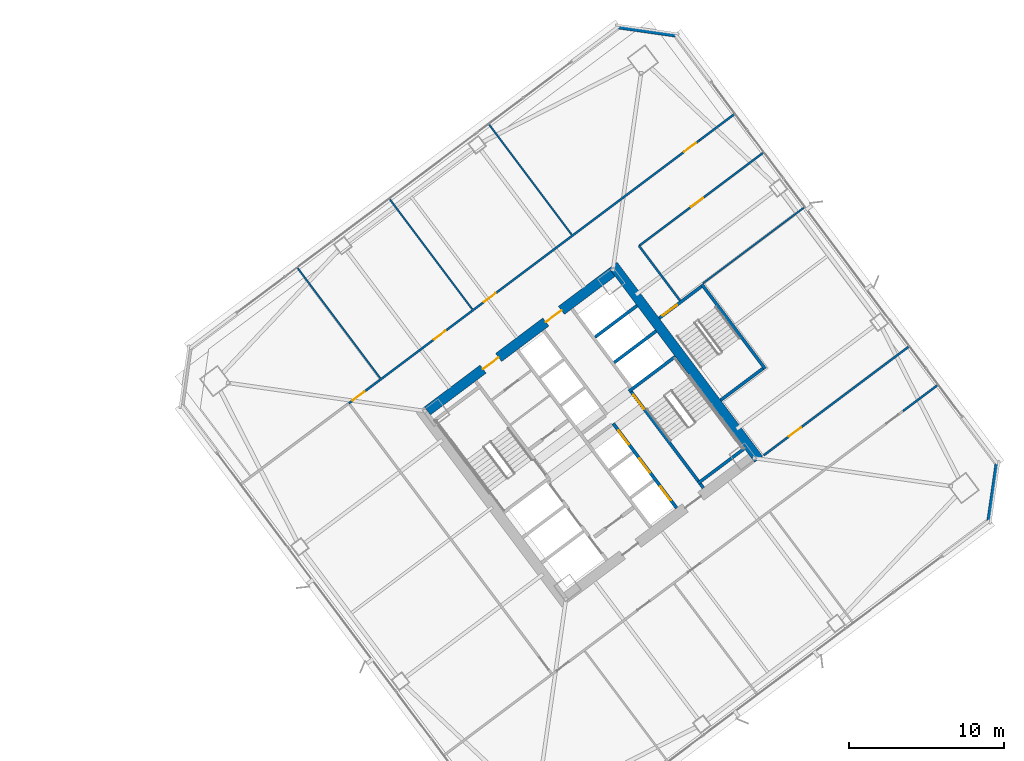
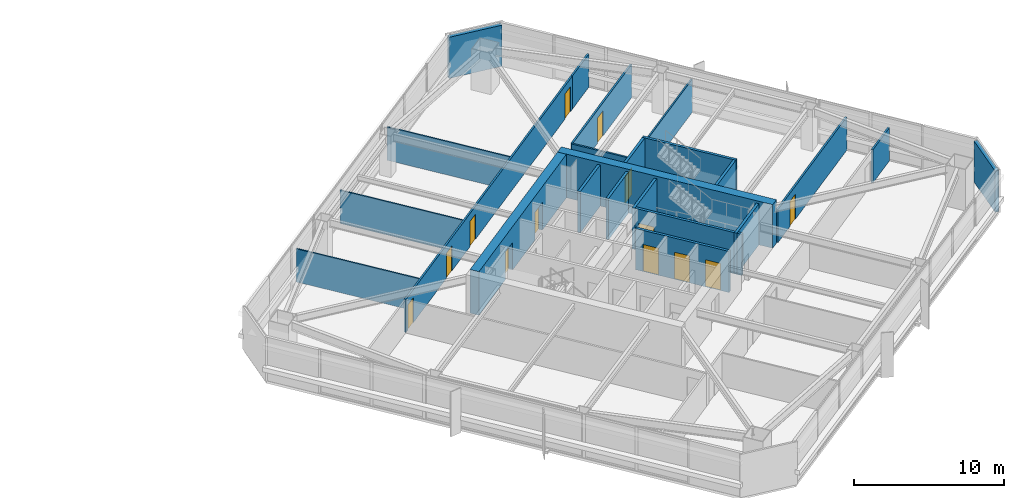
# One storey, part 39 of 49: 23 walls, 13 doors, 13 openings.
"""IFC4 building model written with IfcOpenShell, lengths in metres."""

from ifc_helpers import new_model, si_unit, direction, frame, frame_2d, origin, place, context, subcontext, project, spatial, rectangle, extrude, material, layer, layer_set, type_object, element, fill, save


model = new_model("IFC4")

# Units and contexts
model_context = context("Model", 3, precision=1e-05, world=origin(), true_north=direction((0.0, 1.0)))
body_context = subcontext(model_context, "Body", "Model", "MODEL_VIEW")
ifc_project = project(units=[si_unit("LENGTHUNIT", "METRE"), si_unit("AREAUNIT", "SQUARE_METRE"), si_unit("VOLUMEUNIT", "CUBIC_METRE"), si_unit("PLANEANGLEUNIT", "RADIAN"), si_unit("MASSUNIT", "GRAM", prefix="KILO")], contexts=[model_context])

# Site, building, storey
site_placement = place(None, origin())
site = spatial("IfcSite", under=ifc_project, at=site_placement, CompositionType="ELEMENT")
building_placement = place(site_placement, origin())
building = spatial("IfcBuilding", under=site, at=building_placement, Name="Tashvorn Skyway Center", CompositionType="ELEMENT")
storey_placement = place(building_placement, frame((0.0, 0.0, 70.75)))
storey = spatial("IfcBuildingStorey", under=building, at=storey_placement, Name="L18", CompositionType="ELEMENT", Elevation=70.75)

# Wall
ifc_material_1 = material(Name="Concrete C60/75", Category="concrete")
ifc_layer_1 = layer(ifc_material_1, 0.64990234375)
ifc_layer_set_1 = layer_set([ifc_layer_1], Name="Concrete C60/75")
wall_type_1 = type_object("IfcWallType", Name="WALL-CORE-650", PredefinedType="SHEAR", material=ifc_layer_set_1)
wall_1_placement = place(storey_placement, frame((115.52392578125, 42.89306640625, 0.0), z_axis=(0.0, 0.0, 1.0), x_axis=(0.600005007985, -0.799996243986, 0.0)))
element("IfcWall", 1, at=wall_1_placement, inside=storey, type_object=wall_type_1, Name="Tower 2 L18 East Core Shear Wall", PredefinedType="SHEAR", context=body_context, shape_type="SweptSolid", body=[
    extrude(rectangle(XDim=15.60009765625, YDim=0.64990234375, at=frame_2d((7.800048828125, 0.0))), origin(), (0.0, 0.0, 1.0), 3.550048828125),
])

# Wall, openings, doors
wall_2_placement = place(storey_placement, frame((103.571044921875, 33.52197265625, 0.0), z_axis=(0.0, 0.0, 1.0), x_axis=(0.799998028465, 0.600002628705, 0.0)))
wall_2 = element("IfcWall", 2, at=wall_2_placement, inside=storey, type_object=wall_type_1, Name="Tower 2 L18 North Core Shear Wall", PredefinedType="SHEAR", context=body_context, shape_type="SweptSolid", body=[
    extrude(rectangle(XDim=14.85986328125, YDim=0.64990234375, at=frame_2d((7.429931640625, 0.0))), origin(), (0.0, 0.0, 1.0), 3.550048828125),
])
opening_1_placement = place(wall_2_placement, frame((4.47998046875, 0.0, 0.0)))
opening_1 = element("IfcOpeningElement", 3, at=opening_1_placement, cuts=wall_2, Name="Opening D-FFL-1250", PredefinedType="OPENING", context=body_context, shape_type="SweptSolid", body=[
    extrude(rectangle(XDim=1.25, YDim=2.25, at=frame_2d((0.625, 1.125))), frame((0.0, 0.3349609375, 0.0), z_axis=(0.0, -1.0, 0.0), x_axis=(1.0, 0.0, 0.0)), (0.0, 0.0, 1.0), 0.669921875),
])
opening_2_placement = place(wall_2_placement, frame((9.530029296875, 0.0, 0.0)))
opening_2 = element("IfcOpeningElement", 4, at=opening_2_placement, cuts=wall_2, Name="Opening D-FFL-1250", PredefinedType="OPENING", context=body_context, shape_type="SweptSolid", body=[
    extrude(rectangle(XDim=1.25, YDim=2.25, at=frame_2d((0.625, 1.125))), frame((0.0, 0.3349609375, 0.0), z_axis=(0.0, -1.0, 0.0), x_axis=(1.0, 0.0, 0.0)), (0.0, 0.0, 1.0), 0.669921875),
])
ifc_material_2 = material(Name="Hollow galvanized steel fire door assembly", Category="steel")
door_type_1 = type_object("IfcDoorType", Name="DOOR-FFL-1250", OperationType="NOTDEFINED", PredefinedType="DOOR", material=ifc_material_2)
door_1_placement = place(opening_1_placement, origin())
door_1 = element("IfcDoor", 5, at=door_1_placement, inside=storey, type_object=door_type_1, Name="Tower 2 L18 Core North Service Lobby Door", OperationType="SINGLE_SWING_LEFT", OverallHeight=2.25, OverallWidth=1.25, PredefinedType="DOOR", context=body_context, shape_type="SweptSolid", body=[
    extrude(rectangle(XDim=1.25, YDim=2.25, at=frame_2d((0.625, 1.125))), frame((0.0, 0.02490234375, 0.0), z_axis=(0.0, -1.0, 0.0), x_axis=(1.0, 0.0, 0.0)), (0.0, 0.0, 1.0), 0.050048828125),
])
fill(opening_1, door_1)
door_2_placement = place(opening_2_placement, origin())
door_2 = element("IfcDoor", 6, at=door_2_placement, inside=storey, type_object=door_type_1, Name="Tower 2 L18 Core North Lift Lobby Door", OperationType="SINGLE_SWING_RIGHT", OverallHeight=2.25, OverallWidth=1.25, PredefinedType="DOOR", context=body_context, shape_type="SweptSolid", body=[
    extrude(rectangle(XDim=1.25, YDim=2.25, at=frame_2d((0.625, 1.125))), frame((0.0, 0.02490234375, 0.0), z_axis=(0.0, -1.0, 0.0), x_axis=(1.0, 0.0, 0.0)), (0.0, 0.0, 1.0), 0.050048828125),
])
fill(opening_2, door_2)

# Walls
ifc_material_3 = material(Name="Precast concrete C40/50", Category="concrete")
ifc_layer_2 = layer(ifc_material_3, 0.280029296875)
ifc_layer_set_2 = layer_set([ifc_layer_2], Name="Precast concrete C40/50")
wall_type_2 = type_object("IfcWallType", Name="WALL-EXT-280", PredefinedType="SOLIDWALL", material=ifc_layer_set_2)
for number, where, z_axis, x_axis, name in (
    (7, (115.820068359375, 58.239990234375, 0.0), (0.0, 0.0, 1.0), (0.989948214866, -0.141430307517, 0.0), "Tower 2 L18 NE Precast Chamfer Wall"),
    (8, (140.239990234375, 30.179931640625, 0.0), (0.0, 0.0, 1.0), (-0.141430307517, -0.989948214866, 0.0), "Tower 2 L18 SE Precast Chamfer Wall"),
):
    element("IfcWall", number, at=place(storey_placement, frame(where, z_axis=z_axis, x_axis=x_axis)), inside=storey, type_object=wall_type_2, Name=name, PredefinedType="SOLIDWALL", context=body_context, shape_type="SweptSolid", body=[
        extrude(rectangle(XDim=3.818359375, YDim=0.280029296875, at=frame_2d((1.9091796875, 0.0))), origin(), (0.0, 0.0, 1.0), 3.35009765625),
    ])
ifc_material_4 = material(Name="Gypsum board on cold-formed steel stud framing", Category="steel")
ifc_layer_3 = layer(ifc_material_4, 0.110107421875)
ifc_layer_set_3 = layer_set([ifc_layer_3], Name="Gypsum board on cold-formed steel stud framing")
wall_type_3 = type_object("IfcWallType", Name="WALL-PART-110", PredefinedType="PARTITIONING", material=ifc_layer_set_3)
for number, where, z_axis, x_axis, name in (
    (9, (100.531982421875, 35.6240234375, 0.0), (0.0, 0.0, 1.0), (-0.600013167126, 0.799990124486, 0.0), "Tower 2 L18 North Suite Partition 1"),
    (10, (106.451904296875, 40.06396484375, 0.0), (0.0, 0.0, 1.0), (-0.599982443676, 0.800013166942, 0.0), "Tower 2 L18 North Suite Partition 2"),
    (11, (112.85205078125, 44.864013671875, 0.0), (0.0, 0.0, 1.0), (-0.600013167126, 0.799990124486, 0.0), "Tower 2 L18 North Suite Partition 3"),
):
    element("IfcWall", number, at=place(storey_placement, frame(where, z_axis=z_axis, x_axis=x_axis)), inside=storey, type_object=wall_type_3, Name=name, PredefinedType="PARTITIONING", context=body_context, shape_type="SweptSolid", body=[
        extrude(rectangle(XDim=8.89990234375, YDim=0.110107421875, at=frame_2d((4.449951171875, 0.0))), origin(), (0.0, 0.0, 1.0), 2.702880859375),
    ])
wall_3_placement = place(storey_placement, frame((127.864013671875, 46.64794921875, 0.0), z_axis=(0.0, 0.0, 1.0), x_axis=(-0.800007145523, -0.599990472518, 0.0)))
element("IfcWall", 12, at=wall_3_placement, inside=storey, type_object=wall_type_3, Name="Tower 2 L18 East Suite Partition 1", PredefinedType="PARTITIONING", context=body_context, shape_type="SweptSolid", body=[
    extrude(rectangle(XDim=8.199951171875, YDim=0.110107421875, at=frame_2d((4.10009765625, 0.0))), origin(), (0.0, 0.0, 1.0), 2.702880859375),
])
ifc_layer_4 = layer(ifc_material_4, 0.135009765625)
ifc_layer_set_4 = layer_set([ifc_layer_4], Name="Gypsum board on cold-formed steel stud framing")
wall_type_4 = type_object("IfcWallType", Name="WALL-PART-135", PredefinedType="PARTITIONING", material=ifc_layer_set_4)
wall_4_placement = place(storey_placement, frame((119.823974609375, 40.617919921875, 0.0), z_axis=(0.0, 0.0, 1.0), x_axis=(-0.599982243973, 0.800013316712, 0.0)))
element("IfcWall", 13, at=wall_4_placement, inside=storey, type_object=wall_type_4, Name="Tower 2 L18 Stair 3 Access Corridor Wall", PredefinedType="PARTITIONING", context=body_context, shape_type="SweptSolid", body=[
    extrude(rectangle(XDim=4.39990234375, YDim=0.135009765625, at=frame_2d((2.199951171875, 0.0))), origin(), (0.0, 0.0, 1.0), 2.702880859375),
])

# Wall, openings, doors
wall_5_placement = place(storey_placement, frame((98.51611328125, 34.011962890625, 0.0), z_axis=(0.0, 0.0, 1.0), x_axis=(0.8, 0.6, 0.0)))
wall_5 = element("IfcWall", 14, at=wall_5_placement, inside=storey, type_object=wall_type_4, Name="Tower 2 L18 North Suite Wall", PredefinedType="PARTITIONING", context=body_context, shape_type="SweptSolid", body=[
    extrude(rectangle(XDim=28.22998046875, YDim=0.135009765625, at=frame_2d((14.114990234375, 0.0))), origin(), (0.0, 0.0, 1.0), 2.702880859375),
])
opening_3_placement = place(wall_5_placement, frame((0.300048828125, 0.0, 0.0)))
opening_3 = element("IfcOpeningElement", 15, at=opening_3_placement, cuts=wall_5, Name="Opening D-INT-950", PredefinedType="OPENING", context=body_context, shape_type="SweptSolid", body=[
    extrude(rectangle(XDim=0.949951171875, YDim=2.050048828125, at=frame_2d((0.47509765625, 1.02490234375))), frame((0.0, 0.077392578125, 0.0), z_axis=(0.0, -1.0, 0.0), x_axis=(1.0, 0.0, 0.0)), (0.0, 0.0, 1.0), 0.155029296875),
])
opening_4_placement = place(wall_5_placement, frame((6.839599609375, 0.0, 0.0)))
opening_4 = element("IfcOpeningElement", 16, at=opening_4_placement, cuts=wall_5, Name="Opening D-INT-950", PredefinedType="OPENING", context=body_context, shape_type="SweptSolid", body=[
    extrude(rectangle(XDim=0.949951171875, YDim=2.050048828125, at=frame_2d((0.47509765625, 1.02490234375))), frame((0.0, 0.077392578125, 0.0), z_axis=(0.0, -1.0, 0.0), x_axis=(1.0, 0.0, 0.0)), (0.0, 0.0, 1.0), 0.155029296875),
])
opening_5_placement = place(wall_5_placement, frame((10.86328125, 0.0, 0.0)))
opening_5 = element("IfcOpeningElement", 17, at=opening_5_placement, cuts=wall_5, Name="Opening D-INT-950", PredefinedType="OPENING", context=body_context, shape_type="SweptSolid", body=[
    extrude(rectangle(XDim=0.949951171875, YDim=2.050048828125, at=frame_2d((0.47509765625, 1.02490234375))), frame((0.0, 0.077392578125, 0.0), z_axis=(0.0, -1.0, 0.0), x_axis=(1.0, 0.0, 0.0)), (0.0, 0.0, 1.0), 0.155029296875),
])
opening_6_placement = place(wall_5_placement, frame((26.97998046875, 0.0, 0.0)))
opening_6 = element("IfcOpeningElement", 18, at=opening_6_placement, cuts=wall_5, Name="Opening D-INT-950", PredefinedType="OPENING", context=body_context, shape_type="SweptSolid", body=[
    extrude(rectangle(XDim=0.949951171875, YDim=2.050048828125, at=frame_2d((0.47509765625, 1.02490234375))), frame((0.0, 0.077392578125, 0.0), z_axis=(0.0, -1.0, 0.0), x_axis=(1.0, 0.0, 0.0)), (0.0, 0.0, 1.0), 0.155029296875),
])
ifc_material_5 = material(Name="Solid-core architectural oak veneer door")
door_type_2 = type_object("IfcDoorType", Name="DOOR-INT-950", OperationType="NOTDEFINED", PredefinedType="DOOR", material=ifc_material_5)
door_3_placement = place(opening_3_placement, origin())
door_3 = element("IfcDoor", 19, at=door_3_placement, inside=storey, type_object=door_type_2, Name="Tower 2 L18 Conference Room Door", OperationType="SINGLE_SWING_RIGHT", OverallHeight=2.050048828125, OverallWidth=0.949951171875, PredefinedType="DOOR", context=body_context, shape_type="SweptSolid", body=[
    extrude(rectangle(XDim=0.949951171875, YDim=2.050048828125, at=frame_2d((0.47509765625, 1.02490234375))), frame((0.0, 0.02490234375, 0.0), z_axis=(0.0, -1.0, 0.0), x_axis=(1.0, 0.0, 0.0)), (0.0, 0.0, 1.0), 0.050048828125),
])
fill(opening_3, door_3)
door_4_placement = place(opening_4_placement, origin())
door_4 = element("IfcDoor", 20, at=door_4_placement, inside=storey, type_object=door_type_2, Name="Tower 2 L18 Conference Room Door", OperationType="SINGLE_SWING_LEFT", OverallHeight=2.050048828125, OverallWidth=0.949951171875, PredefinedType="DOOR", context=body_context, shape_type="SweptSolid", body=[
    extrude(rectangle(XDim=0.949951171875, YDim=2.050048828125, at=frame_2d((0.47509765625, 1.02490234375))), frame((0.0, 0.02490234375, 0.0), z_axis=(0.0, -1.0, 0.0), x_axis=(1.0, 0.0, 0.0)), (0.0, 0.0, 1.0), 0.050048828125),
])
fill(opening_4, door_4)
door_5_placement = place(opening_5_placement, origin())
door_5 = element("IfcDoor", 21, at=door_5_placement, inside=storey, type_object=door_type_2, Name="Tower 2 L18 Boardroom Door", OperationType="SINGLE_SWING_RIGHT", OverallHeight=2.050048828125, OverallWidth=0.949951171875, PredefinedType="DOOR", context=body_context, shape_type="SweptSolid", body=[
    extrude(rectangle(XDim=0.949951171875, YDim=2.050048828125, at=frame_2d((0.47509765625, 1.02490234375))), frame((0.0, 0.02490234375, 0.0), z_axis=(0.0, -1.0, 0.0), x_axis=(1.0, 0.0, 0.0)), (0.0, 0.0, 1.0), 0.050048828125),
])
fill(opening_5, door_5)
door_6_placement = place(opening_6_placement, origin())
door_6 = element("IfcDoor", 22, at=door_6_placement, inside=storey, type_object=door_type_2, Name="Tower 2 L18 Gallery Showroom Door", OperationType="SINGLE_SWING_LEFT", OverallHeight=2.050048828125, OverallWidth=0.949951171875, PredefinedType="DOOR", context=body_context, shape_type="SweptSolid", body=[
    extrude(rectangle(XDim=0.949951171875, YDim=2.050048828125, at=frame_2d((0.47509765625, 1.02490234375))), frame((0.0, 0.02490234375, 0.0), z_axis=(0.0, -1.0, 0.0), x_axis=(1.0, 0.0, 0.0)), (0.0, 0.0, 1.0), 0.050048828125),
])
fill(opening_6, door_6)

# Walls
wall_6_placement = place(storey_placement, frame((121.10009765625, 50.949951171875, 0.0), z_axis=(0.0, 0.0, 1.0), x_axis=(0.799989647378, 0.600013803248, 0.0)))
element("IfcWall", 23, at=wall_6_placement, inside=storey, type_object=wall_type_4, Name="Tower 2 L18 North-East Suite South Wall", PredefinedType="PARTITIONING", context=body_context, shape_type="SweptSolid", body=[
    extrude(rectangle(XDim=2.829833984375, YDim=0.135009765625, at=frame_2d((1.4150390625, 0.0))), origin(), (0.0, 0.0, 1.0), 2.702880859375),
])
wall_7_placement = place(storey_placement, frame((134.179931640625, 33.510009765625, 0.0), z_axis=(0.0, 0.0, 1.0), x_axis=(0.8000207031, 0.599972394874, 0.0)))
element("IfcWall", 24, at=wall_7_placement, inside=storey, type_object=wall_type_4, Name="Tower 2 L18 South-East Suite North Wall", PredefinedType="PARTITIONING", context=body_context, shape_type="SweptSolid", body=[
    extrude(rectangle(XDim=2.830078125, YDim=0.135009765625, at=frame_2d((1.4150390625, 0.0))), origin(), (0.0, 0.0, 1.0), 2.702880859375),
])

# Wall, opening, door
wall_8_placement = place(storey_placement, frame((125.22412109375, 50.16796875, 0.0), z_axis=(0.0, 0.0, 1.0), x_axis=(-0.8, -0.6, 0.0)))
wall_8 = element("IfcWall", 25, at=wall_8_placement, inside=storey, type_object=wall_type_4, Name="Tower 2 L18 East Suite North Wall", PredefinedType="PARTITIONING", context=body_context, shape_type="SweptSolid", body=[
    extrude(rectangle(XDim=10.050048828125, YDim=0.135009765625, at=frame_2d((5.02490234375, 0.0))), origin(), (0.0, 0.0, 1.0), 2.702880859375),
])
opening_7_placement = place(wall_8_placement, frame((4.89990234375, 0.0, 0.0)))
opening_7 = element("IfcOpeningElement", 26, at=opening_7_placement, cuts=wall_8, Name="Opening D-INT-950", PredefinedType="OPENING", context=body_context, shape_type="SweptSolid", body=[
    extrude(rectangle(XDim=0.949951171875, YDim=2.050048828125, at=frame_2d((0.47509765625, 1.02490234375))), frame((0.0, 0.077392578125, 0.0), z_axis=(0.0, -1.0, 0.0), x_axis=(1.0, 0.0, 0.0)), (0.0, 0.0, 1.0), 0.155029296875),
])
door_7_placement = place(opening_7_placement, origin())
door_7 = element("IfcDoor", 27, at=door_7_placement, inside=storey, type_object=door_type_2, Name="Tower 2 L18 Gallery Showroom Door", OperationType="SINGLE_SWING_RIGHT", OverallHeight=2.050048828125, OverallWidth=0.949951171875, PredefinedType="DOOR", context=body_context, shape_type="SweptSolid", body=[
    extrude(rectangle(XDim=0.949951171875, YDim=2.050048828125, at=frame_2d((0.47509765625, 1.02490234375))), frame((0.0, 0.02490234375, 0.0), z_axis=(0.0, -1.0, 0.0), x_axis=(1.0, 0.0, 0.0)), (0.0, 0.0, 1.0), 0.050048828125),
])
fill(opening_7, door_7)

wall_9_placement = place(storey_placement, frame((125.2080078125, 30.656005859375, 0.0), z_axis=(0.0, 0.0, 1.0), x_axis=(0.8, 0.6, 0.0)))
wall_9 = element("IfcWall", 28, at=wall_9_placement, inside=storey, type_object=wall_type_4, Name="Tower 2 L18 East Suite South Wall", PredefinedType="PARTITIONING", context=body_context, shape_type="SweptSolid", body=[
    extrude(rectangle(XDim=11.719970703125, YDim=0.135009765625, at=frame_2d((5.85986328125, 0.0))), origin(), (0.0, 0.0, 1.0), 2.702880859375),
])
opening_8_placement = place(wall_9_placement, frame((2.044921875, 0.0, 0.0)))
opening_8 = element("IfcOpeningElement", 29, at=opening_8_placement, cuts=wall_9, Name="Opening D-INT-950", PredefinedType="OPENING", context=body_context, shape_type="SweptSolid", body=[
    extrude(rectangle(XDim=0.949951171875, YDim=2.050048828125, at=frame_2d((0.47509765625, 1.02490234375))), frame((0.0, 0.077392578125, 0.0), z_axis=(0.0, -1.0, 0.0), x_axis=(1.0, 0.0, 0.0)), (0.0, 0.0, 1.0), 0.155029296875),
])
door_8_placement = place(opening_8_placement, origin())
door_8 = element("IfcDoor", 30, at=door_8_placement, inside=storey, type_object=door_type_2, Name="Tower 2 L18 Public Restroom Door", OperationType="SINGLE_SWING_LEFT", OverallHeight=2.050048828125, OverallWidth=0.949951171875, PredefinedType="DOOR", context=body_context, shape_type="SweptSolid", body=[
    extrude(rectangle(XDim=0.949951171875, YDim=2.050048828125, at=frame_2d((0.47509765625, 1.02490234375))), frame((0.0, 0.02490234375, 0.0), z_axis=(0.0, -1.0, 0.0), x_axis=(1.0, 0.0, 0.0)), (0.0, 0.0, 1.0), 0.050048828125),
])
fill(opening_8, door_8)

# Walls
ifc_material_6 = material(Name="Concrete C40/50", Category="concrete")
ifc_layer_5 = layer(ifc_material_6, 0.199951171875)
ifc_layer_set_5 = layer_set([ifc_layer_5], Name="Concrete C40/50")
wall_type_5 = type_object("IfcWallType", Name="WALL-SHAFT-200", PredefinedType="SOLIDWALL", material=ifc_layer_set_5)
for number, where, z_axis, x_axis, name in (
    (31, (115.590087890625, 36.6298828125, 0.0), (0.0, 0.0, 1.0), (0.799973995579, 0.600034670996, 0.0), "Tower 2 L18 High-Rise Shaft Divider"),
    (32, (114.360107421875, 38.27001953125, 0.0), (0.0, 0.0, 1.0), (0.799973995579, 0.600034670996, 0.0), "Tower 2 L18 High-Rise Shaft Divider"),
):
    element("IfcWall", number, at=place(storey_placement, frame(where, z_axis=z_axis, x_axis=x_axis)), inside=storey, type_object=wall_type_5, Name=name, PredefinedType="SOLIDWALL", context=body_context, shape_type="SweptSolid", body=[
        extrude(rectangle(XDim=3.3798828125, YDim=0.199951171875, at=frame_2d((1.68994140625, 0.0))), origin(), (0.0, 0.0, 1.0), 3.35009765625),
    ])

# Wall, openings, doors
wall_10_placement = place(storey_placement, frame((119.610107421875, 27.27001953125, 0.0), z_axis=(0.0, 0.0, 1.0), x_axis=(-0.600011488909, 0.79999138319, 0.0)))
wall_10 = element("IfcWall", 33, at=wall_10_placement, inside=storey, type_object=wall_type_5, Name="Tower 2 L18 Low-Rise Core Wall", PredefinedType="SOLIDWALL", context=body_context, shape_type="SweptSolid", body=[
    extrude(rectangle(XDim=6.800048828125, YDim=0.199951171875, at=frame_2d((3.39990234375, 0.0))), origin(), (0.0, 0.0, 1.0), 3.35009765625),
])
opening_9_placement = place(wall_10_placement, frame((0.625, 0.0, 0.0)))
opening_9 = element("IfcOpeningElement", 34, at=opening_9_placement, cuts=wall_10, Name="Opening LD-LR-T2-1-L18", PredefinedType="OPENING", context=body_context, shape_type="SweptSolid", body=[
    extrude(rectangle(XDim=1.10009765625, YDim=2.199951171875, at=frame_2d((0.550048828125, 1.10009765625))), frame((0.0, 0.10986328125, 0.0), z_axis=(0.0, -1.0, 0.0), x_axis=(1.0, 0.0, 0.0)), (0.0, 0.0, 1.0), 0.219970703125),
])
opening_10_placement = place(wall_10_placement, frame((2.875, 0.0, 0.0)))
opening_10 = element("IfcOpeningElement", 35, at=opening_10_placement, cuts=wall_10, Name="Opening LD-LR-T2-2-L18", PredefinedType="OPENING", context=body_context, shape_type="SweptSolid", body=[
    extrude(rectangle(XDim=1.10009765625, YDim=2.199951171875, at=frame_2d((0.550048828125, 1.10009765625))), frame((0.0, 0.10986328125, 0.0), z_axis=(0.0, -1.0, 0.0), x_axis=(1.0, 0.0, 0.0)), (0.0, 0.0, 1.0), 0.219970703125),
])
opening_11_placement = place(wall_10_placement, frame((5.125, 0.0, 0.0)))
opening_11 = element("IfcOpeningElement", 36, at=opening_11_placement, cuts=wall_10, Name="Opening LD-LR-T2-3-L18", PredefinedType="OPENING", context=body_context, shape_type="SweptSolid", body=[
    extrude(rectangle(XDim=1.10009765625, YDim=2.199951171875, at=frame_2d((0.550048828125, 1.10009765625))), frame((0.0, 0.10986328125, 0.0), z_axis=(0.0, -1.0, 0.0), x_axis=(1.0, 0.0, 0.0)), (0.0, 0.0, 1.0), 0.219970703125),
])
ifc_material_7 = material(Name="Stainless steel landing door", Category="steel")
door_type_3 = type_object("IfcDoorType", Name="DOOR-LIFT-1100", OperationType="SLIDING_TO_LEFT", PredefinedType="DOOR", material=ifc_material_7)
door_9_placement = place(opening_9_placement, origin())
door_9 = element("IfcDoor", 37, at=door_9_placement, inside=storey, type_object=door_type_3, Name="Lift LR-T2-1 L18 Landing Door", OperationType="SLIDING_TO_LEFT", OverallHeight=2.199951171875, OverallWidth=1.10009765625, PredefinedType="DOOR", context=body_context, shape_type="SweptSolid", body=[
    extrude(rectangle(XDim=1.10009765625, YDim=2.199951171875, at=frame_2d((0.550048828125, 1.10009765625))), frame((0.0, 0.02490234375, 0.0), z_axis=(0.0, -1.0, 0.0), x_axis=(1.0, 0.0, 0.0)), (0.0, 0.0, 1.0), 0.050048828125),
])
fill(opening_9, door_9)
door_10_placement = place(opening_10_placement, origin())
door_10 = element("IfcDoor", 38, at=door_10_placement, inside=storey, type_object=door_type_3, Name="Lift LR-T2-2 L18 Landing Door", OperationType="SLIDING_TO_LEFT", OverallHeight=2.199951171875, OverallWidth=1.10009765625, PredefinedType="DOOR", context=body_context, shape_type="SweptSolid", body=[
    extrude(rectangle(XDim=1.10009765625, YDim=2.199951171875, at=frame_2d((0.550048828125, 1.10009765625))), frame((0.0, 0.02490234375, 0.0), z_axis=(0.0, -1.0, 0.0), x_axis=(1.0, 0.0, 0.0)), (0.0, 0.0, 1.0), 0.050048828125),
])
fill(opening_10, door_10)
door_11_placement = place(opening_11_placement, origin())
door_11 = element("IfcDoor", 39, at=door_11_placement, inside=storey, type_object=door_type_3, Name="Lift LR-T2-3 L18 Landing Door", OperationType="SLIDING_TO_LEFT", OverallHeight=2.199951171875, OverallWidth=1.10009765625, PredefinedType="DOOR", context=body_context, shape_type="SweptSolid", body=[
    extrude(rectangle(XDim=1.10009765625, YDim=2.199951171875, at=frame_2d((0.550048828125, 1.10009765625))), frame((0.0, 0.02490234375, 0.0), z_axis=(0.0, -1.0, 0.0), x_axis=(1.0, 0.0, 0.0)), (0.0, 0.0, 1.0), 0.050048828125),
])
fill(opening_11, door_11)

# Wall, opening, door
ifc_layer_6 = layer(ifc_material_6, 0.199951171875)
ifc_layer_set_6 = layer_set([ifc_layer_6], Name="Concrete C40/50")
wall_type_6 = type_object("IfcWallType", Name="WALL-STSHF-200", PredefinedType="SHEAR", material=ifc_layer_set_6)
wall_11_placement = place(storey_placement, frame((116.56005859375, 34.919921875, 0.0), z_axis=(0.0, 0.0, 1.0), x_axis=(0.600009827119, -0.799992629566, 0.0)))
wall_11 = element("IfcWall", 40, at=wall_11_placement, inside=storey, type_object=wall_type_6, Name="Tower 2 L18 Stair 2 Enclosure Wall", PredefinedType="SHEAR", context=body_context, shape_type="SweptSolid", body=[
    extrude(rectangle(XDim=7.949951171875, YDim=0.199951171875, at=frame_2d((3.97509765625, 0.0))), origin(), (0.0, 0.0, 1.0), 3.35009765625),
])
opening_12_placement = place(wall_11_placement, frame((0.449951171875, 0.0, 0.0)))
opening_12 = element("IfcOpeningElement", 41, at=opening_12_placement, cuts=wall_11, Name="Opening D-ST-1150", PredefinedType="OPENING", context=body_context, shape_type="SweptSolid", body=[
    extrude(rectangle(XDim=1.14990234375, YDim=2.199951171875, at=frame_2d((0.574951171875, 1.10009765625))), frame((0.0, 0.10986328125, 0.0), z_axis=(0.0, -1.0, 0.0), x_axis=(1.0, 0.0, 0.0)), (0.0, 0.0, 1.0), 0.219970703125),
])
door_type_4 = type_object("IfcDoorType", Name="DOOR-STAIR-1150", OperationType="NOTDEFINED", PredefinedType="DOOR", material=ifc_material_2)
door_12_placement = place(opening_12_placement, origin())
door_12 = element("IfcDoor", 42, at=door_12_placement, inside=storey, type_object=door_type_4, Name="Tower 2 L18 Exit Stair 2 Door", OperationType="SINGLE_SWING_RIGHT", OverallHeight=2.199951171875, OverallWidth=1.14990234375, PredefinedType="DOOR", context=body_context, shape_type="SweptSolid", body=[
    extrude(rectangle(XDim=1.14990234375, YDim=2.199951171875, at=frame_2d((0.574951171875, 1.10009765625))), frame((0.0, 0.02490234375, 0.0), z_axis=(0.0, -1.0, 0.0), x_axis=(1.0, 0.0, 0.0)), (0.0, 0.0, 1.0), 0.050048828125),
])
fill(opening_12, door_12)

# Walls
for number, where, z_axis, x_axis, name in (
    (43, (116.5400390625, 34.780029296875, 0.0), (0.0, 0.0, 1.0), (0.799984290658, 0.600020945218, 0.0), "Tower 2 L18 Stair 2 North Wall"),
    (44, (120.97998046875, 28.860107421875, 0.0), (0.0, 0.0, 1.0), (0.800039270442, 0.59994763584, 0.0), "Tower 2 L18 Stair 2 South Wall"),
):
    element("IfcWall", number, at=place(storey_placement, frame(where, z_axis=z_axis, x_axis=x_axis)), inside=storey, type_object=wall_type_6, Name=name, PredefinedType="SHEAR", context=body_context, shape_type="SweptSolid", body=[
        extrude(rectangle(XDim=3.72998046875, YDim=0.199951171875, at=frame_2d((1.864990234375, 0.0))), origin(), (0.0, 0.0, 1.0), 3.35009765625),
    ])
wall_12_placement = place(storey_placement, frame((125.303955078125, 36.22802734375, 0.0), z_axis=(0.0, 0.0, 1.0), x_axis=(-0.59998851072, 0.800008616831, 0.0)))
element("IfcWall", 45, at=wall_12_placement, inside=storey, type_object=wall_type_6, Name="Tower 2 L18 Stair 3 Outer Wall", PredefinedType="SHEAR", context=body_context, shape_type="SweptSolid", body=[
    extrude(rectangle(XDim=6.7998046875, YDim=0.199951171875, at=frame_2d((3.39990234375, 0.0))), origin(), (0.0, 0.0, 1.0), 3.35009765625),
])

# Wall, opening, door
wall_13_placement = place(storey_placement, frame((121.2041015625, 41.528076171875, 0.0), z_axis=(0.0, 0.0, 1.0), x_axis=(-0.800017232136, -0.599977023131, 0.0)))
wall_13 = element("IfcWall", 46, at=wall_13_placement, inside=storey, type_object=wall_type_6, Name="Tower 2 L18 Stair 3 Enclosure Wall", PredefinedType="SHEAR", context=body_context, shape_type="SweptSolid", body=[
    extrude(rectangle(XDim=3.400146484375, YDim=0.199951171875, at=frame_2d((1.7001953125, 0.0))), origin(), (0.0, 0.0, 1.0), 3.35009765625),
])
opening_13_placement = place(wall_13_placement, frame((1.97509765625, 0.0, 0.0)))
opening_13 = element("IfcOpeningElement", 47, at=opening_13_placement, cuts=wall_13, Name="Opening D-ST-1150", PredefinedType="OPENING", context=body_context, shape_type="SweptSolid", body=[
    extrude(rectangle(XDim=1.14990234375, YDim=2.199951171875, at=frame_2d((0.574951171875, 1.10009765625))), frame((0.0, 0.10986328125, 0.0), z_axis=(0.0, -1.0, 0.0), x_axis=(1.0, 0.0, 0.0)), (0.0, 0.0, 1.0), 0.219970703125),
])
door_13_placement = place(opening_13_placement, origin())
door_13 = element("IfcDoor", 48, at=door_13_placement, inside=storey, type_object=door_type_4, Name="Tower 2 L18 Exit Stair 3 Door", OperationType="SINGLE_SWING_RIGHT", OverallHeight=2.199951171875, OverallWidth=1.14990234375, PredefinedType="DOOR", context=body_context, shape_type="SweptSolid", body=[
    extrude(rectangle(XDim=1.14990234375, YDim=2.199951171875, at=frame_2d((0.574951171875, 1.10009765625))), frame((0.0, 0.02490234375, 0.0), z_axis=(0.0, -1.0, 0.0), x_axis=(1.0, 0.0, 0.0)), (0.0, 0.0, 1.0), 0.050048828125),
])
fill(opening_13, door_13)

# Wall
wall_14_placement = place(storey_placement, frame((122.444091796875, 34.2080078125, 0.0), z_axis=(0.0, 0.0, 1.0), x_axis=(0.79999138319, 0.600011488909, 0.0)))
element("IfcWall", 49, at=wall_14_placement, inside=storey, type_object=wall_type_6, Name="Tower 2 L18 Stair 3 South Wall", PredefinedType="SHEAR", context=body_context, shape_type="SweptSolid", body=[
    extrude(rectangle(XDim=3.39990234375, YDim=0.199951171875, at=frame_2d((1.699951171875, 0.0))), origin(), (0.0, 0.0, 1.0), 3.35009765625),
])

save(model, "model.ifc")
